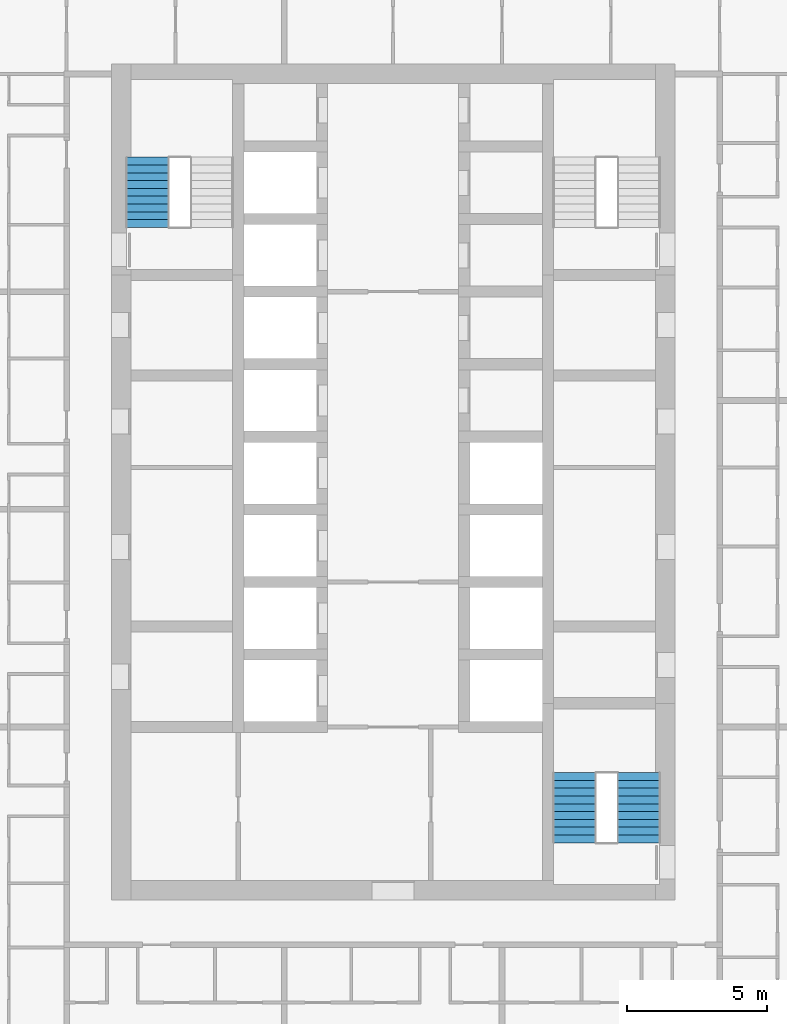
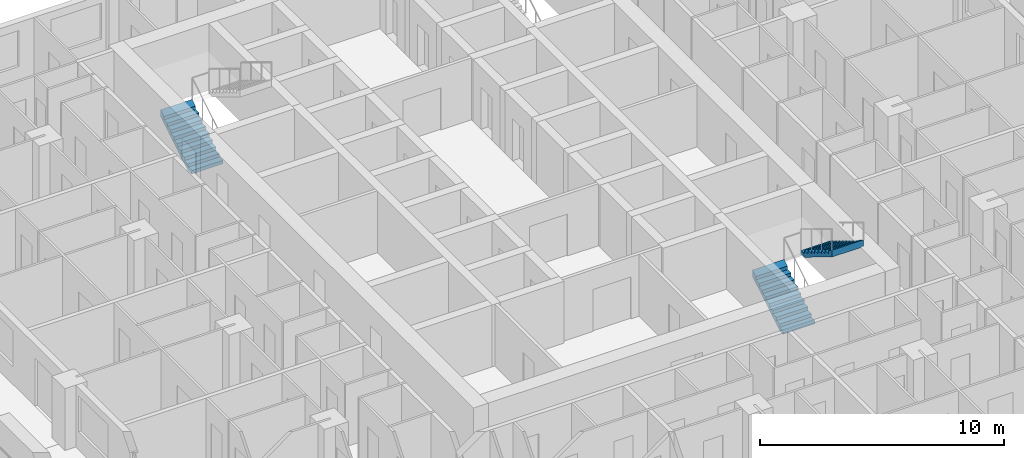
# One storey, part 14 of 17: 3 stair flights, 2 elements without a shape of their own.
"""IFC4 building model written with IfcOpenShell, lengths in metres."""

from ifc_helpers import new_model, si_unit, direction, frame, origin, place, context, subcontext, project, spatial, triangles, material, type_object, element, aggregate, save


model = new_model("IFC4")

# Units and contexts
model_context = context("Model", 3, precision=1e-05, world=origin(), true_north=direction((0.0, 1.0)))
body_context = subcontext(model_context, "Body", "Model", "MODEL_VIEW")
ifc_project = project(units=[si_unit("LENGTHUNIT", "METRE"), si_unit("AREAUNIT", "SQUARE_METRE"), si_unit("VOLUMEUNIT", "CUBIC_METRE"), si_unit("PLANEANGLEUNIT", "RADIAN"), si_unit("MASSUNIT", "GRAM", prefix="KILO")], contexts=[model_context])

# Site, building, storey
site_placement = place(None, origin())
site = spatial("IfcSite", under=ifc_project, at=site_placement, CompositionType="ELEMENT")
building_placement = place(site_placement, origin())
building = spatial("IfcBuilding", under=site, at=building_placement, Name="Ludao Terraces", CompositionType="ELEMENT")
storey_placement = place(building_placement, frame((0.0, 0.0, 43.300048828125)))
storey = spatial("IfcBuildingStorey", under=building, at=storey_placement, Name="L11", CompositionType="ELEMENT", Elevation=43.300048828125)

# Stair, stair flight
ifc_material = material(Name="Concrete C40", Category="concrete")
stair_type = type_object("IfcStairType", Name="INT Stair", PredefinedType="HALF_TURN_STAIR", material=ifc_material)
stair_1_placement = place(storey_placement, origin())
stair_1 = element("IfcStair", 1, at=stair_1_placement, inside=storey, type_object=stair_type, Name="EXIT STAIR 1", PredefinedType="HALF_TURN_STAIR")
stair_flight_type = type_object("IfcStairFlightType", Name="INT Stair flight", PredefinedType="STRAIGHT", material=ifc_material)
stair_flight_1_placement = place(storey_placement, frame((76.199951171875, 79.0, 0.0), z_axis=(0.0, 0.0, 1.0), x_axis=(0.0, 1.0, 0.0)))
stair_flight_1 = element("IfcStairFlight", 2, at=stair_flight_1_placement, type_object=stair_flight_type, Name="ST1 flight 1", NumberOfRisers=10, NumberOfTreads=9, PredefinedType="STRAIGHT", RiserHeight=0.17, TreadLength=0.28, context=body_context, shape_type="Tessellation", body=[
    triangles([(0.0, -0.75, 0.0), (0.0, -0.5, 0.0), (0.0, -0.25, 0.0), (0.0, 0.0, 0.0), (0.0, 0.25, 0.0), (0.0, 0.5, 0.0), (0.0, 0.75, 0.0), (0.0, -0.75, 0.169921875), (0.0, -0.5, 0.169921875), (0.0, -0.25, 0.169921875), (0.0, 0.0, 0.169921875), (0.0, 0.25, 0.169921875), (0.0, 0.5, 0.169921875), (0.0, 0.75, 0.169921875), (0.280029296875, -0.75, 0.169921875), (0.280029296875, -0.5, 0.169921875), (0.280029296875, -0.25, 0.169921875), (0.280029296875, 0.0, 0.169921875), (0.280029296875, 0.25, 0.169921875), (0.280029296875, 0.5, 0.169921875), (0.280029296875, 0.75, 0.169921875), (0.280029296875, -0.75, 0.340087890625), (0.280029296875, -0.5, 0.340087890625), (0.280029296875, -0.25, 0.340087890625), (0.280029296875, 0.0, 0.340087890625), (0.280029296875, 0.25, 0.340087890625), (0.280029296875, 0.5, 0.340087890625), (0.280029296875, 0.75, 0.340087890625), (0.56005859375, -0.75, 0.340087890625), (0.56005859375, -0.5, 0.340087890625), (0.56005859375, -0.25, 0.340087890625), (0.56005859375, 0.0, 0.340087890625), (0.56005859375, 0.25, 0.340087890625), (0.56005859375, 0.5, 0.340087890625), (0.56005859375, 0.75, 0.340087890625), (0.56005859375, -0.75, 0.510009765625), (0.56005859375, -0.5, 0.510009765625), (0.56005859375, -0.25, 0.510009765625), (0.56005859375, 0.0, 0.510009765625), (0.56005859375, 0.25, 0.510009765625), (0.56005859375, 0.5, 0.510009765625), (0.56005859375, 0.75, 0.510009765625), (0.840087890625, -0.75, 0.510009765625), (0.840087890625, -0.5, 0.510009765625), (0.840087890625, -0.25, 0.510009765625), (0.840087890625, 0.0, 0.510009765625), (0.840087890625, 0.25, 0.510009765625), (0.840087890625, 0.5, 0.510009765625), (0.840087890625, 0.75, 0.510009765625), (0.840087890625, -0.75, 0.679931640625), (0.840087890625, -0.5, 0.679931640625), (0.840087890625, -0.25, 0.679931640625), (0.840087890625, 0.0, 0.679931640625), (0.840087890625, 0.25, 0.679931640625), (0.840087890625, 0.5, 0.679931640625), (0.840087890625, 0.75, 0.679931640625), (1.1201171875, -0.75, 0.679931640625), (1.1201171875, -0.5, 0.679931640625), (1.1201171875, -0.25, 0.679931640625), (1.1201171875, 0.0, 0.679931640625), (1.1201171875, 0.25, 0.679931640625), (1.1201171875, 0.5, 0.679931640625), (1.1201171875, 0.75, 0.679931640625), (1.1201171875, -0.75, 0.85009765625), (1.1201171875, -0.5, 0.85009765625), (1.1201171875, -0.25, 0.85009765625), (1.1201171875, 0.0, 0.85009765625), (1.1201171875, 0.25, 0.85009765625), (1.1201171875, 0.5, 0.85009765625), (1.1201171875, 0.75, 0.85009765625), (1.39990234375, -0.75, 0.85009765625), (1.39990234375, -0.5, 0.85009765625), (1.39990234375, -0.25, 0.85009765625), (1.39990234375, 0.0, 0.85009765625), (1.39990234375, 0.25, 0.85009765625), (1.39990234375, 0.5, 0.85009765625), (1.39990234375, 0.75, 0.85009765625), (1.39990234375, -0.75, 1.02001953125), (1.39990234375, -0.5, 1.02001953125), (1.39990234375, -0.25, 1.02001953125), (1.39990234375, 0.0, 1.02001953125), (1.39990234375, 0.25, 1.02001953125), (1.39990234375, 0.5, 1.02001953125), (1.39990234375, 0.75, 1.02001953125), (1.679931640625, -0.75, 1.02001953125), (1.679931640625, -0.5, 1.02001953125), (1.679931640625, -0.25, 1.02001953125), (1.679931640625, 0.0, 1.02001953125), (1.679931640625, 0.25, 1.02001953125), (1.679931640625, 0.5, 1.02001953125), (1.679931640625, 0.75, 1.02001953125), (1.679931640625, -0.75, 1.18994140625), (1.679931640625, -0.5, 1.18994140625), (1.679931640625, -0.25, 1.18994140625), (1.679931640625, 0.0, 1.18994140625), (1.679931640625, 0.25, 1.18994140625), (1.679931640625, 0.5, 1.18994140625), (1.679931640625, 0.75, 1.18994140625), (1.9599609375, -0.75, 1.18994140625), (1.9599609375, -0.5, 1.18994140625), (1.9599609375, -0.25, 1.18994140625), (1.9599609375, 0.0, 1.18994140625), (1.9599609375, 0.25, 1.18994140625), (1.9599609375, 0.5, 1.18994140625), (1.9599609375, 0.75, 1.18994140625), (1.9599609375, -0.75, 1.360107421875), (1.9599609375, -0.5, 1.360107421875), (1.9599609375, -0.25, 1.360107421875), (1.9599609375, 0.0, 1.360107421875), (1.9599609375, 0.25, 1.360107421875), (1.9599609375, 0.5, 1.360107421875), (1.9599609375, 0.75, 1.360107421875), (2.239990234375, -0.75, 1.360107421875), (2.239990234375, -0.5, 1.360107421875), (2.239990234375, -0.25, 1.360107421875), (2.239990234375, 0.0, 1.360107421875), (2.239990234375, 0.25, 1.360107421875), (2.239990234375, 0.5, 1.360107421875), (2.239990234375, 0.75, 1.360107421875), (2.239990234375, -0.75, 1.530029296875), (2.239990234375, -0.5, 1.530029296875), (2.239990234375, -0.25, 1.530029296875), (2.239990234375, 0.0, 1.530029296875), (2.239990234375, 0.25, 1.530029296875), (2.239990234375, 0.5, 1.530029296875), (2.239990234375, 0.75, 1.530029296875), (2.52001953125, -0.75, 1.699951171875), (2.52001953125, -0.5, 1.699951171875), (2.52001953125, -0.25, 1.699951171875), (2.52001953125, 0.0, 1.699951171875), (2.52001953125, 0.25, 1.699951171875), (2.52001953125, 0.5, 1.699951171875), (2.52001953125, 0.75, 1.699951171875), (2.52001953125, -0.75, 1.354736328125), (2.52001953125, -0.5, 1.354736328125), (2.52001953125, -0.25, 1.354736328125), (2.52001953125, 0.0, 1.354736328125), (2.52001953125, 0.25, 1.354736328125), (2.52001953125, 0.5, 1.354736328125), (2.52001953125, 0.75, 1.354736328125), (0.288818359375, -0.75, 0.0), (0.288818359375, -0.5, 0.0), (0.288818359375, -0.25, 0.0), (0.288818359375, 0.0, 0.0), (0.288818359375, 0.25, 0.0), (0.288818359375, 0.5, 0.0), (0.288818359375, 0.75, 0.0)], [[1, 141, 134], [7, 140, 147], [134, 127, 120], [140, 126, 133], [134, 120, 113], [140, 119, 126], [134, 113, 106], [140, 112, 119], [134, 106, 99], [140, 105, 112], [99, 92, 85], [105, 91, 98], [134, 99, 85], [140, 91, 105], [85, 78, 71], [91, 77, 84], [134, 85, 71], [140, 77, 91], [71, 64, 57], [77, 63, 70], [134, 71, 57], [140, 63, 77], [57, 50, 43], [63, 49, 56], [134, 57, 43], [140, 49, 63], [43, 36, 29], [49, 35, 42], [134, 43, 29], [140, 35, 49], [29, 22, 15], [35, 21, 28], [134, 29, 15], [140, 21, 35], [1, 134, 15], [7, 21, 140], [15, 8, 1], [21, 7, 14], [1, 9, 2], [1, 8, 9], [2, 10, 3], [2, 9, 10], [3, 11, 4], [3, 10, 11], [4, 12, 5], [4, 11, 12], [5, 13, 6], [5, 12, 13], [6, 14, 7], [6, 13, 14], [8, 16, 9], [8, 15, 16], [9, 17, 10], [9, 16, 17], [10, 18, 11], [10, 17, 18], [11, 19, 12], [11, 18, 19], [12, 20, 13], [12, 19, 20], [13, 21, 14], [13, 20, 21], [15, 23, 16], [15, 22, 23], [16, 24, 17], [16, 23, 24], [17, 25, 18], [17, 24, 25], [18, 26, 19], [18, 25, 26], [19, 27, 20], [19, 26, 27], [20, 28, 21], [20, 27, 28], [22, 30, 23], [22, 29, 30], [23, 31, 24], [23, 30, 31], [24, 32, 25], [24, 31, 32], [25, 33, 26], [25, 32, 33], [26, 34, 27], [26, 33, 34], [27, 35, 28], [27, 34, 35], [29, 37, 30], [29, 36, 37], [30, 38, 31], [30, 37, 38], [31, 39, 32], [31, 38, 39], [32, 40, 33], [32, 39, 40], [33, 41, 34], [33, 40, 41], [34, 42, 35], [34, 41, 42], [36, 44, 37], [36, 43, 44], [37, 45, 38], [37, 44, 45], [38, 46, 39], [38, 45, 46], [39, 47, 40], [39, 46, 47], [40, 48, 41], [40, 47, 48], [41, 49, 42], [41, 48, 49], [43, 51, 44], [43, 50, 51], [44, 52, 45], [44, 51, 52], [45, 53, 46], [45, 52, 53], [46, 54, 47], [46, 53, 54], [47, 55, 48], [47, 54, 55], [48, 56, 49], [48, 55, 56], [50, 58, 51], [50, 57, 58], [51, 59, 52], [51, 58, 59], [52, 60, 53], [52, 59, 60], [53, 61, 54], [53, 60, 61], [54, 62, 55], [54, 61, 62], [55, 63, 56], [55, 62, 63], [57, 65, 58], [57, 64, 65], [58, 66, 59], [58, 65, 66], [59, 67, 60], [59, 66, 67], [60, 68, 61], [60, 67, 68], [61, 69, 62], [61, 68, 69], [62, 70, 63], [62, 69, 70], [64, 72, 65], [64, 71, 72], [65, 73, 66], [65, 72, 73], [66, 74, 67], [66, 73, 74], [67, 75, 68], [67, 74, 75], [68, 76, 69], [68, 75, 76], [69, 77, 70], [69, 76, 77], [71, 79, 72], [71, 78, 79], [72, 80, 73], [72, 79, 80], [73, 81, 74], [73, 80, 81], [74, 82, 75], [74, 81, 82], [75, 83, 76], [75, 82, 83], [76, 84, 77], [76, 83, 84], [78, 86, 79], [78, 85, 86], [79, 87, 80], [79, 86, 87], [80, 88, 81], [80, 87, 88], [81, 89, 82], [81, 88, 89], [82, 90, 83], [82, 89, 90], [83, 91, 84], [83, 90, 91], [85, 93, 86], [85, 92, 93], [86, 94, 87], [86, 93, 94], [87, 95, 88], [87, 94, 95], [88, 96, 89], [88, 95, 96], [89, 97, 90], [89, 96, 97], [90, 98, 91], [90, 97, 98], [92, 100, 93], [92, 99, 100], [93, 101, 94], [93, 100, 101], [94, 102, 95], [94, 101, 102], [95, 103, 96], [95, 102, 103], [96, 104, 97], [96, 103, 104], [97, 105, 98], [97, 104, 105], [99, 107, 100], [99, 106, 107], [100, 108, 101], [100, 107, 108], [101, 109, 102], [101, 108, 109], [102, 110, 103], [102, 109, 110], [103, 111, 104], [103, 110, 111], [104, 112, 105], [104, 111, 112], [106, 114, 107], [106, 113, 114], [107, 115, 108], [107, 114, 115], [108, 116, 109], [108, 115, 116], [109, 117, 110], [109, 116, 117], [110, 118, 111], [110, 117, 118], [111, 119, 112], [111, 118, 119], [113, 121, 114], [113, 120, 121], [114, 122, 115], [114, 121, 122], [115, 123, 116], [115, 122, 123], [116, 124, 117], [116, 123, 124], [117, 125, 118], [117, 124, 125], [118, 126, 119], [118, 125, 126], [120, 128, 121], [120, 127, 128], [121, 129, 122], [121, 128, 129], [122, 130, 123], [122, 129, 130], [123, 131, 124], [123, 130, 131], [124, 132, 125], [124, 131, 132], [125, 133, 126], [125, 132, 133], [127, 135, 128], [127, 134, 135], [128, 136, 129], [128, 135, 136], [129, 137, 130], [129, 136, 137], [130, 138, 131], [130, 137, 138], [131, 139, 132], [131, 138, 139], [132, 140, 133], [132, 139, 140], [134, 142, 135], [134, 141, 142], [135, 143, 136], [135, 142, 143], [136, 144, 137], [136, 143, 144], [137, 145, 138], [137, 144, 145], [138, 146, 139], [138, 145, 146], [139, 147, 140], [139, 146, 147], [141, 2, 142], [141, 1, 2], [142, 3, 143], [142, 2, 3], [143, 4, 144], [143, 3, 4], [144, 5, 145], [144, 4, 5], [145, 6, 146], [145, 5, 6], [146, 7, 147], [146, 6, 7]], closed=True),
])
aggregate(stair_1, [stair_flight_1])

# Stair, stair flights
stair_2_placement = place(storey_placement, origin())
stair_2 = element("IfcStair", 3, at=stair_2_placement, inside=storey, type_object=stair_type, Name="EXIT STAIR 3", PredefinedType="HALF_TURN_STAIR")
stair_flight_2_placement = place(storey_placement, frame((91.5, 56.949951171875, 0.0), z_axis=(0.0, 0.0, 1.0), x_axis=(0.0, 1.0, 0.0)))
stair_flight_2 = element("IfcStairFlight", 4, at=stair_flight_2_placement, type_object=stair_flight_type, Name="ST3 flight 1", NumberOfRisers=10, NumberOfTreads=9, PredefinedType="STRAIGHT", RiserHeight=0.17, TreadLength=0.28, context=body_context, shape_type="Tessellation", body=[
    triangles([(0.0, -0.75, 0.0), (0.0, -0.5, 0.0), (0.0, -0.25, 0.0), (0.0, 0.0, 0.0), (0.0, 0.25, 0.0), (0.0, 0.5, 0.0), (0.0, 0.75, 0.0), (0.0, -0.75, 0.169921875), (0.0, -0.5, 0.169921875), (0.0, -0.25, 0.169921875), (0.0, 0.0, 0.169921875), (0.0, 0.25, 0.169921875), (0.0, 0.5, 0.169921875), (0.0, 0.75, 0.169921875), (0.280029296875, -0.75, 0.169921875), (0.280029296875, -0.5, 0.169921875), (0.280029296875, -0.25, 0.169921875), (0.280029296875, 0.0, 0.169921875), (0.280029296875, 0.25, 0.169921875), (0.280029296875, 0.5, 0.169921875), (0.280029296875, 0.75, 0.169921875), (0.280029296875, -0.75, 0.340087890625), (0.280029296875, -0.5, 0.340087890625), (0.280029296875, -0.25, 0.340087890625), (0.280029296875, 0.0, 0.340087890625), (0.280029296875, 0.25, 0.340087890625), (0.280029296875, 0.5, 0.340087890625), (0.280029296875, 0.75, 0.340087890625), (0.56005859375, -0.75, 0.340087890625), (0.56005859375, -0.5, 0.340087890625), (0.56005859375, -0.25, 0.340087890625), (0.56005859375, 0.0, 0.340087890625), (0.56005859375, 0.25, 0.340087890625), (0.56005859375, 0.5, 0.340087890625), (0.56005859375, 0.75, 0.340087890625), (0.56005859375, -0.75, 0.510009765625), (0.56005859375, -0.5, 0.510009765625), (0.56005859375, -0.25, 0.510009765625), (0.56005859375, 0.0, 0.510009765625), (0.56005859375, 0.25, 0.510009765625), (0.56005859375, 0.5, 0.510009765625), (0.56005859375, 0.75, 0.510009765625), (0.840087890625, -0.75, 0.510009765625), (0.840087890625, -0.5, 0.510009765625), (0.840087890625, -0.25, 0.510009765625), (0.840087890625, 0.0, 0.510009765625), (0.840087890625, 0.25, 0.510009765625), (0.840087890625, 0.5, 0.510009765625), (0.840087890625, 0.75, 0.510009765625), (0.840087890625, -0.75, 0.679931640625), (0.840087890625, -0.5, 0.679931640625), (0.840087890625, -0.25, 0.679931640625), (0.840087890625, 0.0, 0.679931640625), (0.840087890625, 0.25, 0.679931640625), (0.840087890625, 0.5, 0.679931640625), (0.840087890625, 0.75, 0.679931640625), (1.1201171875, -0.75, 0.679931640625), (1.1201171875, -0.5, 0.679931640625), (1.1201171875, -0.25, 0.679931640625), (1.1201171875, 0.0, 0.679931640625), (1.1201171875, 0.25, 0.679931640625), (1.1201171875, 0.5, 0.679931640625), (1.1201171875, 0.75, 0.679931640625), (1.1201171875, -0.75, 0.85009765625), (1.1201171875, -0.5, 0.85009765625), (1.1201171875, -0.25, 0.85009765625), (1.1201171875, 0.0, 0.85009765625), (1.1201171875, 0.25, 0.85009765625), (1.1201171875, 0.5, 0.85009765625), (1.1201171875, 0.75, 0.85009765625), (1.39990234375, -0.75, 0.85009765625), (1.39990234375, -0.5, 0.85009765625), (1.39990234375, -0.25, 0.85009765625), (1.39990234375, 0.0, 0.85009765625), (1.39990234375, 0.25, 0.85009765625), (1.39990234375, 0.5, 0.85009765625), (1.39990234375, 0.75, 0.85009765625), (1.39990234375, -0.75, 1.02001953125), (1.39990234375, -0.5, 1.02001953125), (1.39990234375, -0.25, 1.02001953125), (1.39990234375, 0.0, 1.02001953125), (1.39990234375, 0.25, 1.02001953125), (1.39990234375, 0.5, 1.02001953125), (1.39990234375, 0.75, 1.02001953125), (1.679931640625, -0.75, 1.02001953125), (1.679931640625, -0.5, 1.02001953125), (1.679931640625, -0.25, 1.02001953125), (1.679931640625, 0.0, 1.02001953125), (1.679931640625, 0.25, 1.02001953125), (1.679931640625, 0.5, 1.02001953125), (1.679931640625, 0.75, 1.02001953125), (1.679931640625, -0.75, 1.18994140625), (1.679931640625, -0.5, 1.18994140625), (1.679931640625, -0.25, 1.18994140625), (1.679931640625, 0.0, 1.18994140625), (1.679931640625, 0.25, 1.18994140625), (1.679931640625, 0.5, 1.18994140625), (1.679931640625, 0.75, 1.18994140625), (1.9599609375, -0.75, 1.18994140625), (1.9599609375, -0.5, 1.18994140625), (1.9599609375, -0.25, 1.18994140625), (1.9599609375, 0.0, 1.18994140625), (1.9599609375, 0.25, 1.18994140625), (1.9599609375, 0.5, 1.18994140625), (1.9599609375, 0.75, 1.18994140625), (1.9599609375, -0.75, 1.360107421875), (1.9599609375, -0.5, 1.360107421875), (1.9599609375, -0.25, 1.360107421875), (1.9599609375, 0.0, 1.360107421875), (1.9599609375, 0.25, 1.360107421875), (1.9599609375, 0.5, 1.360107421875), (1.9599609375, 0.75, 1.360107421875), (2.239990234375, -0.75, 1.360107421875), (2.239990234375, -0.5, 1.360107421875), (2.239990234375, -0.25, 1.360107421875), (2.239990234375, 0.0, 1.360107421875), (2.239990234375, 0.25, 1.360107421875), (2.239990234375, 0.5, 1.360107421875), (2.239990234375, 0.75, 1.360107421875), (2.239990234375, -0.75, 1.530029296875), (2.239990234375, -0.5, 1.530029296875), (2.239990234375, -0.25, 1.530029296875), (2.239990234375, 0.0, 1.530029296875), (2.239990234375, 0.25, 1.530029296875), (2.239990234375, 0.5, 1.530029296875), (2.239990234375, 0.75, 1.530029296875), (2.52001953125, -0.75, 1.699951171875), (2.52001953125, -0.5, 1.699951171875), (2.52001953125, -0.25, 1.699951171875), (2.52001953125, 0.0, 1.699951171875), (2.52001953125, 0.25, 1.699951171875), (2.52001953125, 0.5, 1.699951171875), (2.52001953125, 0.75, 1.699951171875), (2.52001953125, -0.75, 1.354736328125), (2.52001953125, -0.5, 1.354736328125), (2.52001953125, -0.25, 1.354736328125), (2.52001953125, 0.0, 1.354736328125), (2.52001953125, 0.25, 1.354736328125), (2.52001953125, 0.5, 1.354736328125), (2.52001953125, 0.75, 1.354736328125), (0.288818359375, -0.75, 0.0), (0.288818359375, -0.5, 0.0), (0.288818359375, -0.25, 0.0), (0.288818359375, 0.0, 0.0), (0.288818359375, 0.25, 0.0), (0.288818359375, 0.5, 0.0), (0.288818359375, 0.75, 0.0)], [[1, 141, 134], [7, 140, 147], [134, 127, 120], [140, 126, 133], [134, 120, 113], [140, 119, 126], [134, 113, 106], [140, 112, 119], [134, 106, 99], [140, 105, 112], [99, 92, 85], [105, 91, 98], [134, 99, 85], [140, 91, 105], [85, 78, 71], [91, 77, 84], [134, 85, 71], [140, 77, 91], [71, 64, 57], [77, 63, 70], [134, 71, 57], [140, 63, 77], [57, 50, 43], [63, 49, 56], [134, 57, 43], [140, 49, 63], [43, 36, 29], [49, 35, 42], [134, 43, 29], [140, 35, 49], [29, 22, 15], [35, 21, 28], [134, 29, 15], [140, 21, 35], [1, 134, 15], [7, 21, 140], [15, 8, 1], [21, 7, 14], [1, 9, 2], [1, 8, 9], [2, 10, 3], [2, 9, 10], [3, 11, 4], [3, 10, 11], [4, 12, 5], [4, 11, 12], [5, 13, 6], [5, 12, 13], [6, 14, 7], [6, 13, 14], [8, 16, 9], [8, 15, 16], [9, 17, 10], [9, 16, 17], [10, 18, 11], [10, 17, 18], [11, 19, 12], [11, 18, 19], [12, 20, 13], [12, 19, 20], [13, 21, 14], [13, 20, 21], [15, 23, 16], [15, 22, 23], [16, 24, 17], [16, 23, 24], [17, 25, 18], [17, 24, 25], [18, 26, 19], [18, 25, 26], [19, 27, 20], [19, 26, 27], [20, 28, 21], [20, 27, 28], [22, 30, 23], [22, 29, 30], [23, 31, 24], [23, 30, 31], [24, 32, 25], [24, 31, 32], [25, 33, 26], [25, 32, 33], [26, 34, 27], [26, 33, 34], [27, 35, 28], [27, 34, 35], [29, 37, 30], [29, 36, 37], [30, 38, 31], [30, 37, 38], [31, 39, 32], [31, 38, 39], [32, 40, 33], [32, 39, 40], [33, 41, 34], [33, 40, 41], [34, 42, 35], [34, 41, 42], [36, 44, 37], [36, 43, 44], [37, 45, 38], [37, 44, 45], [38, 46, 39], [38, 45, 46], [39, 47, 40], [39, 46, 47], [40, 48, 41], [40, 47, 48], [41, 49, 42], [41, 48, 49], [43, 51, 44], [43, 50, 51], [44, 52, 45], [44, 51, 52], [45, 53, 46], [45, 52, 53], [46, 54, 47], [46, 53, 54], [47, 55, 48], [47, 54, 55], [48, 56, 49], [48, 55, 56], [50, 58, 51], [50, 57, 58], [51, 59, 52], [51, 58, 59], [52, 60, 53], [52, 59, 60], [53, 61, 54], [53, 60, 61], [54, 62, 55], [54, 61, 62], [55, 63, 56], [55, 62, 63], [57, 65, 58], [57, 64, 65], [58, 66, 59], [58, 65, 66], [59, 67, 60], [59, 66, 67], [60, 68, 61], [60, 67, 68], [61, 69, 62], [61, 68, 69], [62, 70, 63], [62, 69, 70], [64, 72, 65], [64, 71, 72], [65, 73, 66], [65, 72, 73], [66, 74, 67], [66, 73, 74], [67, 75, 68], [67, 74, 75], [68, 76, 69], [68, 75, 76], [69, 77, 70], [69, 76, 77], [71, 79, 72], [71, 78, 79], [72, 80, 73], [72, 79, 80], [73, 81, 74], [73, 80, 81], [74, 82, 75], [74, 81, 82], [75, 83, 76], [75, 82, 83], [76, 84, 77], [76, 83, 84], [78, 86, 79], [78, 85, 86], [79, 87, 80], [79, 86, 87], [80, 88, 81], [80, 87, 88], [81, 89, 82], [81, 88, 89], [82, 90, 83], [82, 89, 90], [83, 91, 84], [83, 90, 91], [85, 93, 86], [85, 92, 93], [86, 94, 87], [86, 93, 94], [87, 95, 88], [87, 94, 95], [88, 96, 89], [88, 95, 96], [89, 97, 90], [89, 96, 97], [90, 98, 91], [90, 97, 98], [92, 100, 93], [92, 99, 100], [93, 101, 94], [93, 100, 101], [94, 102, 95], [94, 101, 102], [95, 103, 96], [95, 102, 103], [96, 104, 97], [96, 103, 104], [97, 105, 98], [97, 104, 105], [99, 107, 100], [99, 106, 107], [100, 108, 101], [100, 107, 108], [101, 109, 102], [101, 108, 109], [102, 110, 103], [102, 109, 110], [103, 111, 104], [103, 110, 111], [104, 112, 105], [104, 111, 112], [106, 114, 107], [106, 113, 114], [107, 115, 108], [107, 114, 115], [108, 116, 109], [108, 115, 116], [109, 117, 110], [109, 116, 117], [110, 118, 111], [110, 117, 118], [111, 119, 112], [111, 118, 119], [113, 121, 114], [113, 120, 121], [114, 122, 115], [114, 121, 122], [115, 123, 116], [115, 122, 123], [116, 124, 117], [116, 123, 124], [117, 125, 118], [117, 124, 125], [118, 126, 119], [118, 125, 126], [120, 128, 121], [120, 127, 128], [121, 129, 122], [121, 128, 129], [122, 130, 123], [122, 129, 130], [123, 131, 124], [123, 130, 131], [124, 132, 125], [124, 131, 132], [125, 133, 126], [125, 132, 133], [127, 135, 128], [127, 134, 135], [128, 136, 129], [128, 135, 136], [129, 137, 130], [129, 136, 137], [130, 138, 131], [130, 137, 138], [131, 139, 132], [131, 138, 139], [132, 140, 133], [132, 139, 140], [134, 142, 135], [134, 141, 142], [135, 143, 136], [135, 142, 143], [136, 144, 137], [136, 143, 144], [137, 145, 138], [137, 144, 145], [138, 146, 139], [138, 145, 146], [139, 147, 140], [139, 146, 147], [141, 2, 142], [141, 1, 2], [142, 3, 143], [142, 2, 3], [143, 4, 144], [143, 3, 4], [144, 5, 145], [144, 4, 5], [145, 6, 146], [145, 5, 6], [146, 7, 147], [146, 6, 7]], closed=True),
])
stair_flight_3_placement = place(storey_placement, frame((93.800048828125, 59.469970703125, 1.699951171875), z_axis=(0.0, 0.0, 1.0), x_axis=(0.0, -1.0, 0.0)))
stair_flight_3 = element("IfcStairFlight", 5, at=stair_flight_3_placement, type_object=stair_flight_type, Name="ST3 flight 2", NumberOfRisers=10, NumberOfTreads=9, PredefinedType="STRAIGHT", RiserHeight=0.17, TreadLength=0.28, context=body_context, shape_type="Tessellation", body=[
    triangles([(0.0, -0.75, 0.0), (0.0, -0.5, 0.0), (0.0, -0.25, 0.0), (0.0, 0.0, 0.0), (0.0, 0.25, 0.0), (0.0, 0.5, 0.0), (0.0, 0.75, 0.0), (0.0, -0.75, 0.169921875), (0.0, -0.5, 0.169921875), (0.0, -0.25, 0.169921875), (0.0, 0.0, 0.169921875), (0.0, 0.25, 0.169921875), (0.0, 0.5, 0.169921875), (0.0, 0.75, 0.169921875), (0.280029296875, -0.75, 0.169921875), (0.280029296875, -0.5, 0.169921875), (0.280029296875, -0.25, 0.169921875), (0.280029296875, 0.0, 0.169921875), (0.280029296875, 0.25, 0.169921875), (0.280029296875, 0.5, 0.169921875), (0.280029296875, 0.75, 0.169921875), (0.280029296875, -0.75, 0.340087890625), (0.280029296875, -0.5, 0.340087890625), (0.280029296875, -0.25, 0.340087890625), (0.280029296875, 0.0, 0.340087890625), (0.280029296875, 0.25, 0.340087890625), (0.280029296875, 0.5, 0.340087890625), (0.280029296875, 0.75, 0.340087890625), (0.56005859375, -0.75, 0.340087890625), (0.56005859375, -0.5, 0.340087890625), (0.56005859375, -0.25, 0.340087890625), (0.56005859375, 0.0, 0.340087890625), (0.56005859375, 0.25, 0.340087890625), (0.56005859375, 0.5, 0.340087890625), (0.56005859375, 0.75, 0.340087890625), (0.56005859375, -0.75, 0.510009765625), (0.56005859375, -0.5, 0.510009765625), (0.56005859375, -0.25, 0.510009765625), (0.56005859375, 0.0, 0.510009765625), (0.56005859375, 0.25, 0.510009765625), (0.56005859375, 0.5, 0.510009765625), (0.56005859375, 0.75, 0.510009765625), (0.840087890625, -0.75, 0.510009765625), (0.840087890625, -0.5, 0.510009765625), (0.840087890625, -0.25, 0.510009765625), (0.840087890625, 0.0, 0.510009765625), (0.840087890625, 0.25, 0.510009765625), (0.840087890625, 0.5, 0.510009765625), (0.840087890625, 0.75, 0.510009765625), (0.840087890625, -0.75, 0.679931640625), (0.840087890625, -0.5, 0.679931640625), (0.840087890625, -0.25, 0.679931640625), (0.840087890625, 0.0, 0.679931640625), (0.840087890625, 0.25, 0.679931640625), (0.840087890625, 0.5, 0.679931640625), (0.840087890625, 0.75, 0.679931640625), (1.1201171875, -0.75, 0.679931640625), (1.1201171875, -0.5, 0.679931640625), (1.1201171875, -0.25, 0.679931640625), (1.1201171875, 0.0, 0.679931640625), (1.1201171875, 0.25, 0.679931640625), (1.1201171875, 0.5, 0.679931640625), (1.1201171875, 0.75, 0.679931640625), (1.1201171875, -0.75, 0.85009765625), (1.1201171875, -0.5, 0.85009765625), (1.1201171875, -0.25, 0.85009765625), (1.1201171875, 0.0, 0.85009765625), (1.1201171875, 0.25, 0.85009765625), (1.1201171875, 0.5, 0.85009765625), (1.1201171875, 0.75, 0.85009765625), (1.39990234375, -0.75, 0.85009765625), (1.39990234375, -0.5, 0.85009765625), (1.39990234375, -0.25, 0.85009765625), (1.39990234375, 0.0, 0.85009765625), (1.39990234375, 0.25, 0.85009765625), (1.39990234375, 0.5, 0.85009765625), (1.39990234375, 0.75, 0.85009765625), (1.39990234375, -0.75, 1.02001953125), (1.39990234375, -0.5, 1.02001953125), (1.39990234375, -0.25, 1.02001953125), (1.39990234375, 0.0, 1.02001953125), (1.39990234375, 0.25, 1.02001953125), (1.39990234375, 0.5, 1.02001953125), (1.39990234375, 0.75, 1.02001953125), (1.679931640625, -0.75, 1.02001953125), (1.679931640625, -0.5, 1.02001953125), (1.679931640625, -0.25, 1.02001953125), (1.679931640625, 0.0, 1.02001953125), (1.679931640625, 0.25, 1.02001953125), (1.679931640625, 0.5, 1.02001953125), (1.679931640625, 0.75, 1.02001953125), (1.679931640625, -0.75, 1.18994140625), (1.679931640625, -0.5, 1.18994140625), (1.679931640625, -0.25, 1.18994140625), (1.679931640625, 0.0, 1.18994140625), (1.679931640625, 0.25, 1.18994140625), (1.679931640625, 0.5, 1.18994140625), (1.679931640625, 0.75, 1.18994140625), (1.9599609375, -0.75, 1.18994140625), (1.9599609375, -0.5, 1.18994140625), (1.9599609375, -0.25, 1.18994140625), (1.9599609375, 0.0, 1.18994140625), (1.9599609375, 0.25, 1.18994140625), (1.9599609375, 0.5, 1.18994140625), (1.9599609375, 0.75, 1.18994140625), (1.9599609375, -0.75, 1.360107421875), (1.9599609375, -0.5, 1.360107421875), (1.9599609375, -0.25, 1.360107421875), (1.9599609375, 0.0, 1.360107421875), (1.9599609375, 0.25, 1.360107421875), (1.9599609375, 0.5, 1.360107421875), (1.9599609375, 0.75, 1.360107421875), (2.239990234375, -0.75, 1.360107421875), (2.239990234375, -0.5, 1.360107421875), (2.239990234375, -0.25, 1.360107421875), (2.239990234375, 0.0, 1.360107421875), (2.239990234375, 0.25, 1.360107421875), (2.239990234375, 0.5, 1.360107421875), (2.239990234375, 0.75, 1.360107421875), (2.239990234375, -0.75, 1.530029296875), (2.239990234375, -0.5, 1.530029296875), (2.239990234375, -0.25, 1.530029296875), (2.239990234375, 0.0, 1.530029296875), (2.239990234375, 0.25, 1.530029296875), (2.239990234375, 0.5, 1.530029296875), (2.239990234375, 0.75, 1.530029296875), (2.52001953125, -0.75, 1.699951171875), (2.52001953125, -0.5, 1.699951171875), (2.52001953125, -0.25, 1.699951171875), (2.52001953125, 0.0, 1.699951171875), (2.52001953125, 0.25, 1.699951171875), (2.52001953125, 0.5, 1.699951171875), (2.52001953125, 0.75, 1.699951171875), (2.52001953125, -0.75, 1.354736328125), (2.52001953125, -0.5, 1.354736328125), (2.52001953125, -0.25, 1.354736328125), (2.52001953125, 0.0, 1.354736328125), (2.52001953125, 0.25, 1.354736328125), (2.52001953125, 0.5, 1.354736328125), (2.52001953125, 0.75, 1.354736328125), (0.288818359375, -0.75, 0.0), (0.288818359375, -0.5, 0.0), (0.288818359375, -0.25, 0.0), (0.288818359375, 0.0, 0.0), (0.288818359375, 0.25, 0.0), (0.288818359375, 0.5, 0.0), (0.288818359375, 0.75, 0.0)], [[1, 141, 134], [7, 140, 147], [134, 127, 120], [140, 126, 133], [134, 120, 113], [140, 119, 126], [134, 113, 106], [140, 112, 119], [134, 106, 99], [140, 105, 112], [99, 92, 85], [105, 91, 98], [134, 99, 85], [140, 91, 105], [85, 78, 71], [91, 77, 84], [134, 85, 71], [140, 77, 91], [71, 64, 57], [77, 63, 70], [134, 71, 57], [140, 63, 77], [57, 50, 43], [63, 49, 56], [134, 57, 43], [140, 49, 63], [43, 36, 29], [49, 35, 42], [134, 43, 29], [140, 35, 49], [29, 22, 15], [35, 21, 28], [134, 29, 15], [140, 21, 35], [1, 134, 15], [7, 21, 140], [15, 8, 1], [21, 7, 14], [1, 9, 2], [1, 8, 9], [2, 10, 3], [2, 9, 10], [3, 11, 4], [3, 10, 11], [4, 12, 5], [4, 11, 12], [5, 13, 6], [5, 12, 13], [6, 14, 7], [6, 13, 14], [8, 16, 9], [8, 15, 16], [9, 17, 10], [9, 16, 17], [10, 18, 11], [10, 17, 18], [11, 19, 12], [11, 18, 19], [12, 20, 13], [12, 19, 20], [13, 21, 14], [13, 20, 21], [15, 23, 16], [15, 22, 23], [16, 24, 17], [16, 23, 24], [17, 25, 18], [17, 24, 25], [18, 26, 19], [18, 25, 26], [19, 27, 20], [19, 26, 27], [20, 28, 21], [20, 27, 28], [22, 30, 23], [22, 29, 30], [23, 31, 24], [23, 30, 31], [24, 32, 25], [24, 31, 32], [25, 33, 26], [25, 32, 33], [26, 34, 27], [26, 33, 34], [27, 35, 28], [27, 34, 35], [29, 37, 30], [29, 36, 37], [30, 38, 31], [30, 37, 38], [31, 39, 32], [31, 38, 39], [32, 40, 33], [32, 39, 40], [33, 41, 34], [33, 40, 41], [34, 42, 35], [34, 41, 42], [36, 44, 37], [36, 43, 44], [37, 45, 38], [37, 44, 45], [38, 46, 39], [38, 45, 46], [39, 47, 40], [39, 46, 47], [40, 48, 41], [40, 47, 48], [41, 49, 42], [41, 48, 49], [43, 51, 44], [43, 50, 51], [44, 52, 45], [44, 51, 52], [45, 53, 46], [45, 52, 53], [46, 54, 47], [46, 53, 54], [47, 55, 48], [47, 54, 55], [48, 56, 49], [48, 55, 56], [50, 58, 51], [50, 57, 58], [51, 59, 52], [51, 58, 59], [52, 60, 53], [52, 59, 60], [53, 61, 54], [53, 60, 61], [54, 62, 55], [54, 61, 62], [55, 63, 56], [55, 62, 63], [57, 65, 58], [57, 64, 65], [58, 66, 59], [58, 65, 66], [59, 67, 60], [59, 66, 67], [60, 68, 61], [60, 67, 68], [61, 69, 62], [61, 68, 69], [62, 70, 63], [62, 69, 70], [64, 72, 65], [64, 71, 72], [65, 73, 66], [65, 72, 73], [66, 74, 67], [66, 73, 74], [67, 75, 68], [67, 74, 75], [68, 76, 69], [68, 75, 76], [69, 77, 70], [69, 76, 77], [71, 79, 72], [71, 78, 79], [72, 80, 73], [72, 79, 80], [73, 81, 74], [73, 80, 81], [74, 82, 75], [74, 81, 82], [75, 83, 76], [75, 82, 83], [76, 84, 77], [76, 83, 84], [78, 86, 79], [78, 85, 86], [79, 87, 80], [79, 86, 87], [80, 88, 81], [80, 87, 88], [81, 89, 82], [81, 88, 89], [82, 90, 83], [82, 89, 90], [83, 91, 84], [83, 90, 91], [85, 93, 86], [85, 92, 93], [86, 94, 87], [86, 93, 94], [87, 95, 88], [87, 94, 95], [88, 96, 89], [88, 95, 96], [89, 97, 90], [89, 96, 97], [90, 98, 91], [90, 97, 98], [92, 100, 93], [92, 99, 100], [93, 101, 94], [93, 100, 101], [94, 102, 95], [94, 101, 102], [95, 103, 96], [95, 102, 103], [96, 104, 97], [96, 103, 104], [97, 105, 98], [97, 104, 105], [99, 107, 100], [99, 106, 107], [100, 108, 101], [100, 107, 108], [101, 109, 102], [101, 108, 109], [102, 110, 103], [102, 109, 110], [103, 111, 104], [103, 110, 111], [104, 112, 105], [104, 111, 112], [106, 114, 107], [106, 113, 114], [107, 115, 108], [107, 114, 115], [108, 116, 109], [108, 115, 116], [109, 117, 110], [109, 116, 117], [110, 118, 111], [110, 117, 118], [111, 119, 112], [111, 118, 119], [113, 121, 114], [113, 120, 121], [114, 122, 115], [114, 121, 122], [115, 123, 116], [115, 122, 123], [116, 124, 117], [116, 123, 124], [117, 125, 118], [117, 124, 125], [118, 126, 119], [118, 125, 126], [120, 128, 121], [120, 127, 128], [121, 129, 122], [121, 128, 129], [122, 130, 123], [122, 129, 130], [123, 131, 124], [123, 130, 131], [124, 132, 125], [124, 131, 132], [125, 133, 126], [125, 132, 133], [127, 135, 128], [127, 134, 135], [128, 136, 129], [128, 135, 136], [129, 137, 130], [129, 136, 137], [130, 138, 131], [130, 137, 138], [131, 139, 132], [131, 138, 139], [132, 140, 133], [132, 139, 140], [134, 142, 135], [134, 141, 142], [135, 143, 136], [135, 142, 143], [136, 144, 137], [136, 143, 144], [137, 145, 138], [137, 144, 145], [138, 146, 139], [138, 145, 146], [139, 147, 140], [139, 146, 147], [141, 2, 142], [141, 1, 2], [142, 3, 143], [142, 2, 3], [143, 4, 144], [143, 3, 4], [144, 5, 145], [144, 4, 5], [145, 6, 146], [145, 5, 6], [146, 7, 147], [146, 6, 7]], closed=True),
])
aggregate(stair_2, [stair_flight_2, stair_flight_3])

save(model, "model.ifc")
